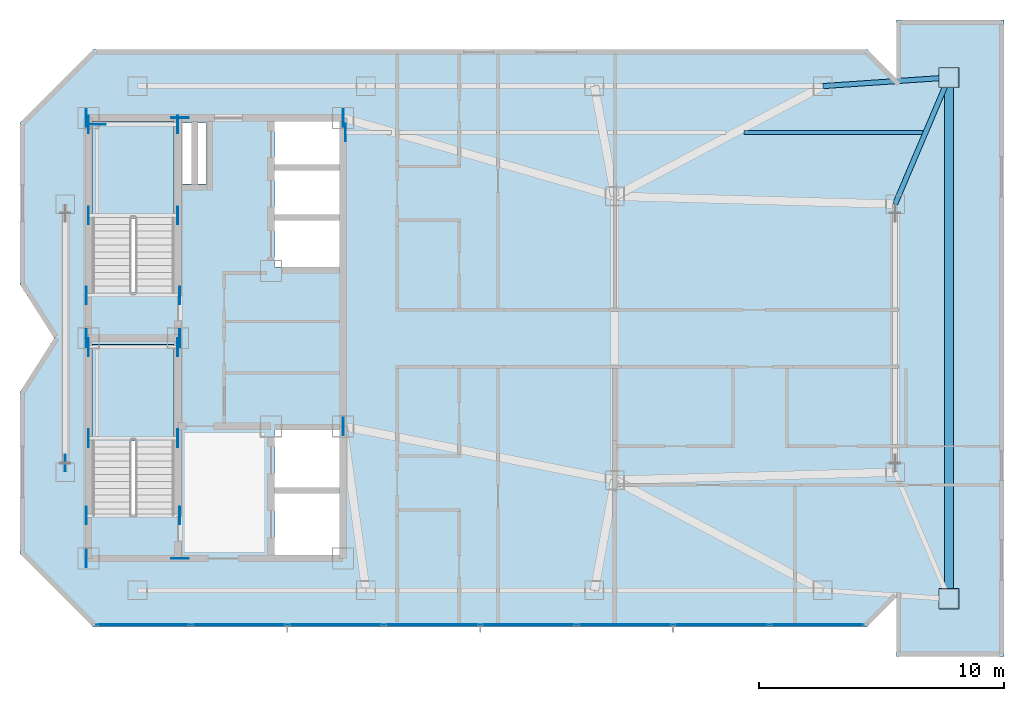
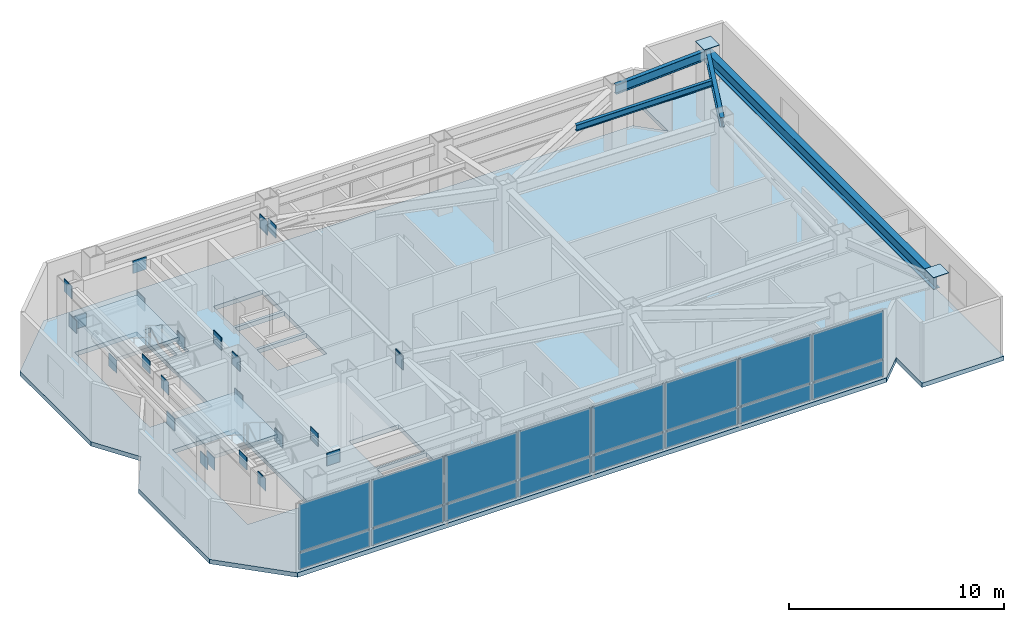
# One storey, part 7 of 12: 43 plates, 4 beams, 3 slabs, 3 elements without a shape of their own.
"""IFC4 building model written with IfcOpenShell, lengths in metres."""

from ifc_helpers import new_model, si_unit, direction, frame, origin, origin_2d, place, context, subcontext, project, spatial, polyline, rectangle, i_section, outline, extrude, material, layer, layer_set, material_profile, profile_set, type_object, element, aggregate, save


model = new_model("IFC4")

# Units and contexts
model_context = context("Model", 3, precision=1e-05, world=origin(), true_north=direction((0.0, 1.0)))
body_context = subcontext(model_context, "Body", "Model", "MODEL_VIEW")
ifc_project = project(units=[si_unit("LENGTHUNIT", "METRE"), si_unit("AREAUNIT", "SQUARE_METRE"), si_unit("VOLUMEUNIT", "CUBIC_METRE"), si_unit("PLANEANGLEUNIT", "RADIAN"), si_unit("MASSUNIT", "GRAM", prefix="KILO")], contexts=[model_context])

# Site, building, storey
site_placement = place(None, origin())
site = spatial("IfcSite", under=ifc_project, at=site_placement, CompositionType="ELEMENT")
building_placement = place(site_placement, origin())
building = spatial("IfcBuilding", under=site, at=building_placement, Name="Khamvora Tower", CompositionType="ELEMENT")
storey_placement = place(building_placement, frame((0.0, 0.0, 298.85009765625)))
storey = spatial("IfcBuildingStorey", under=building, at=storey_placement, Name="L76", CompositionType="ELEMENT", Elevation=298.85009765625)

# Beams
ifc_material_1 = material(Name="Steel S355", Category="steel")
ifc_material_profile_1 = material_profile(ifc_material_1, i_section(OverallWidth=0.1708984375, OverallDepth=0.35498046875, WebThickness=0.007080078125, FlangeThickness=0.011962890625, FilletRadius=0.010009765625, at=origin_2d()), Name="W360x51")
ifc_profile_set_1 = profile_set([ifc_material_profile_1], Name="Steel S355")
beam_type_1 = type_object("IfcBeamType", Name="BM-JS-W360x51", PredefinedType="JOIST", material=ifc_profile_set_1)
beam_1_placement = place(storey_placement, frame((55.784912109375, 36.39990234375, 3.702880859375), z_axis=(1.0, 0.0, 0.0), x_axis=(0.0, 1.0, 0.0)))
element("IfcBeam", 1, at=beam_1_placement, inside=storey, type_object=beam_type_1, Name="L76 secondary floor joist 07", PredefinedType="JOIST", context=body_context, shape_type="SweptSolid", body=[
    extrude(i_section(OverallWidth=0.1708984375, OverallDepth=0.35498046875, WebThickness=0.007080078125, FlangeThickness=0.011962890625, FilletRadius=0.010009765625, at=origin_2d()), origin(), (0.0, 0.0, 1.0), 7.300048828125),
])
ifc_material_profile_2 = material_profile(ifc_material_1, i_section(OverallWidth=0.35498046875, OverallDepth=0.695068359375, WebThickness=0.014892578125, FlangeThickness=0.02490234375, FilletRadius=0.01611328125, at=origin_2d()), Name="W690x217")
ifc_profile_set_2 = profile_set([ifc_material_profile_2], Name="Steel S355")
beam_type_2 = type_object("IfcBeamType", Name="BM-PG-W690x217", PredefinedType="BEAM", material=ifc_profile_set_2)
beam_2_placement = place(storey_placement, frame((64.14990234375, 17.35009765625, 3.531982421875), z_axis=(0.0, 1.0, 0.0), x_axis=(-1.0, 0.0, 0.0)))
element("IfcBeam", 2, at=beam_2_placement, inside=storey, type_object=beam_type_2, Name="L76 conservatory east edge tie girder", PredefinedType="BEAM", context=body_context, shape_type="SweptSolid", body=[
    extrude(i_section(OverallWidth=0.35498046875, OverallDepth=0.695068359375, WebThickness=0.014892578125, FlangeThickness=0.02490234375, FilletRadius=0.01611328125, at=origin_2d()), origin(), (0.0, 0.0, 1.0), 21.2998046875),
])
ifc_material_profile_3 = material_profile(ifc_material_1, i_section(OverallWidth=0.208984375, OverallDepth=0.532958984375, WebThickness=0.010009765625, FlangeThickness=0.01611328125, FilletRadius=0.013916015625, at=origin_2d()), Name="W530x92")
ifc_profile_set_3 = profile_set([ifc_material_profile_3], Name="Steel S355")
beam_type_3 = type_object("IfcBeamType", Name="BM-SP-W530x92", PredefinedType="SPANDREL", material=ifc_profile_set_3)
beam_3_placement = place(storey_placement, frame((61.949951171875, 33.47509765625, 3.614013671875), z_axis=(0.391239931832, 0.920288713252, 0.0), x_axis=(-0.920288713252, 0.391239931832, 0.0)))
element("IfcBeam", 3, at=beam_3_placement, inside=storey, type_object=beam_type_3, Name="L76 perimeter spandrel beam E2-EC2", PredefinedType="SPANDREL", context=body_context, shape_type="SweptSolid", body=[
    extrude(i_section(OverallWidth=0.208984375, OverallDepth=0.532958984375, WebThickness=0.010009765625, FlangeThickness=0.01611328125, FilletRadius=0.013916015625, at=origin_2d()), origin(), (0.0, 0.0, 1.0), 5.623046875),
])
beam_4_placement = place(storey_placement, frame((64.14990234375, 38.64990234375, 3.614013671875), z_axis=(-0.997700441509, -0.067777791442, 0.0), x_axis=(0.067777791442, -0.997700441509, 0.0)))
element("IfcBeam", 4, at=beam_4_placement, inside=storey, type_object=beam_type_3, Name="L76 perimeter spandrel beam EC2-N4", PredefinedType="SPANDREL", context=body_context, shape_type="SweptSolid", body=[
    extrude(i_section(OverallWidth=0.208984375, OverallDepth=0.532958984375, WebThickness=0.010009765625, FlangeThickness=0.01611328125, FilletRadius=0.013916015625, at=origin_2d()), origin(), (0.0, 0.0, 1.0), 5.161865234375),
])

# Curtain wall, plates
ifc_material_2 = material(Name="Anodised Aluminium 6063-T6", Category="aluminium")
curtain_wall_type = type_object("IfcCurtainWallType", Name="CW-SYS-06", PredefinedType="NOTDEFINED", material=ifc_material_2)
curtain_wall_placement = place(storey_placement, origin())
curtain_wall = element("IfcCurtainWall", 5, at=curtain_wall_placement, inside=storey, type_object=curtain_wall_type, Name="L76 stick curtain wall 01.1", PredefinedType="NOTDEFINED")
ifc_material_3 = material(Name="Low-E Laminated Double Glazing", Category="glass")
ifc_layer_1 = layer(ifc_material_3, 0.0380859375)
ifc_layer_set_1 = layer_set([ifc_layer_1], Name="Low-E Laminated Double Glazing")
plate_type_1 = type_object("IfcPlateType", Name="CW-SYS-06-PNL", PredefinedType="CURTAIN_PANEL", material=ifc_layer_set_1)
plate_1_placement = place(storey_placement, frame((58.76904296875, 16.300048828125, 0.080078125), z_axis=(0.0, 0.0, 1.0), x_axis=(-1.0, 0.0, 0.0)))
plate_1 = element("IfcPlate", 6, at=plate_1_placement, type_object=plate_type_1, Name="CW-06 panel 1.1", PredefinedType="CURTAIN_PANEL", context=body_context, shape_type="SweptSolid", body=[
    extrude(rectangle(XDim=3.81982421875, YDim=0.0380859375, at=origin_2d()), origin(), (0.0, 0.0, 1.0), 0.929931640625),
])
plate_2_placement = place(storey_placement, frame((58.76904296875, 16.300048828125, 1.08984375), z_axis=(0.0, 0.0, 1.0), x_axis=(-1.0, 0.0, 0.0)))
plate_2 = element("IfcPlate", 7, at=plate_2_placement, type_object=plate_type_1, Name="CW-06 panel 1.2", PredefinedType="CURTAIN_PANEL", context=body_context, shape_type="SweptSolid", body=[
    extrude(rectangle(XDim=3.81982421875, YDim=0.0380859375, at=origin_2d()), origin(), (0.0, 0.0, 1.0), 2.7099609375),
])
plate_3_placement = place(storey_placement, frame((54.849365234375, 16.300048828125, 0.080078125), z_axis=(0.0, 0.0, 1.0), x_axis=(-1.0, 0.0, 0.0)))
plate_3 = element("IfcPlate", 8, at=plate_3_placement, type_object=plate_type_1, Name="CW-06 panel 2.1", PredefinedType="CURTAIN_PANEL", context=body_context, shape_type="SweptSolid", body=[
    extrude(rectangle(XDim=3.85986328125, YDim=0.0380859375, at=origin_2d()), origin(), (0.0, 0.0, 1.0), 0.929931640625),
])
plate_4_placement = place(storey_placement, frame((54.849365234375, 16.300048828125, 1.08984375), z_axis=(0.0, 0.0, 1.0), x_axis=(-1.0, 0.0, 0.0)))
plate_4 = element("IfcPlate", 9, at=plate_4_placement, type_object=plate_type_1, Name="CW-06 panel 2.2", PredefinedType="CURTAIN_PANEL", context=body_context, shape_type="SweptSolid", body=[
    extrude(rectangle(XDim=3.85986328125, YDim=0.0380859375, at=origin_2d()), origin(), (0.0, 0.0, 1.0), 2.7099609375),
])
plate_5_placement = place(storey_placement, frame((50.90966796875, 16.300048828125, 0.080078125), z_axis=(0.0, 0.0, 1.0), x_axis=(-1.0, 0.0, 0.0)))
plate_5 = element("IfcPlate", 10, at=plate_5_placement, type_object=plate_type_1, Name="CW-06 panel 3.1", PredefinedType="CURTAIN_PANEL", context=body_context, shape_type="SweptSolid", body=[
    extrude(rectangle(XDim=3.85986328125, YDim=0.0380859375, at=origin_2d()), origin(), (0.0, 0.0, 1.0), 0.929931640625),
])
plate_6_placement = place(storey_placement, frame((50.90966796875, 16.300048828125, 1.08984375), z_axis=(0.0, 0.0, 1.0), x_axis=(-1.0, 0.0, 0.0)))
plate_6 = element("IfcPlate", 11, at=plate_6_placement, type_object=plate_type_1, Name="CW-06 panel 3.2", PredefinedType="CURTAIN_PANEL", context=body_context, shape_type="SweptSolid", body=[
    extrude(rectangle(XDim=3.85986328125, YDim=0.0380859375, at=origin_2d()), origin(), (0.0, 0.0, 1.0), 2.7099609375),
])
plate_7_placement = place(storey_placement, frame((46.969970703125, 16.300048828125, 0.080078125), z_axis=(0.0, 0.0, 1.0), x_axis=(-1.0, 0.0, 0.0)))
plate_7 = element("IfcPlate", 12, at=plate_7_placement, type_object=plate_type_1, Name="CW-06 panel 4.1", PredefinedType="CURTAIN_PANEL", context=body_context, shape_type="SweptSolid", body=[
    extrude(rectangle(XDim=3.85986328125, YDim=0.0380859375, at=origin_2d()), origin(), (0.0, 0.0, 1.0), 0.929931640625),
])
plate_8_placement = place(storey_placement, frame((46.969970703125, 16.300048828125, 1.08984375), z_axis=(0.0, 0.0, 1.0), x_axis=(-1.0, 0.0, 0.0)))
plate_8 = element("IfcPlate", 13, at=plate_8_placement, type_object=plate_type_1, Name="CW-06 panel 4.2", PredefinedType="CURTAIN_PANEL", context=body_context, shape_type="SweptSolid", body=[
    extrude(rectangle(XDim=3.85986328125, YDim=0.0380859375, at=origin_2d()), origin(), (0.0, 0.0, 1.0), 2.7099609375),
])
plate_9_placement = place(storey_placement, frame((43.030029296875, 16.300048828125, 0.080078125), z_axis=(0.0, 0.0, 1.0), x_axis=(-1.0, 0.0, 0.0)))
plate_9 = element("IfcPlate", 14, at=plate_9_placement, type_object=plate_type_1, Name="CW-06 panel 5.1", PredefinedType="CURTAIN_PANEL", context=body_context, shape_type="SweptSolid", body=[
    extrude(rectangle(XDim=3.85986328125, YDim=0.0380859375, at=origin_2d()), origin(), (0.0, 0.0, 1.0), 0.929931640625),
])
plate_10_placement = place(storey_placement, frame((43.030029296875, 16.300048828125, 1.08984375), z_axis=(0.0, 0.0, 1.0), x_axis=(-1.0, 0.0, 0.0)))
plate_10 = element("IfcPlate", 15, at=plate_10_placement, type_object=plate_type_1, Name="CW-06 panel 5.2", PredefinedType="CURTAIN_PANEL", context=body_context, shape_type="SweptSolid", body=[
    extrude(rectangle(XDim=3.85986328125, YDim=0.0380859375, at=origin_2d()), origin(), (0.0, 0.0, 1.0), 2.7099609375),
])
plate_11_placement = place(storey_placement, frame((39.09033203125, 16.300048828125, 0.080078125), z_axis=(0.0, 0.0, 1.0), x_axis=(-1.0, 0.0, 0.0)))
plate_11 = element("IfcPlate", 16, at=plate_11_placement, type_object=plate_type_1, Name="CW-06 panel 6.1", PredefinedType="CURTAIN_PANEL", context=body_context, shape_type="SweptSolid", body=[
    extrude(rectangle(XDim=3.85986328125, YDim=0.0380859375, at=origin_2d()), origin(), (0.0, 0.0, 1.0), 0.929931640625),
])
plate_12_placement = place(storey_placement, frame((39.09033203125, 16.300048828125, 1.08984375), z_axis=(0.0, 0.0, 1.0), x_axis=(-1.0, 0.0, 0.0)))
plate_12 = element("IfcPlate", 17, at=plate_12_placement, type_object=plate_type_1, Name="CW-06 panel 6.2", PredefinedType="CURTAIN_PANEL", context=body_context, shape_type="SweptSolid", body=[
    extrude(rectangle(XDim=3.85986328125, YDim=0.0380859375, at=origin_2d()), origin(), (0.0, 0.0, 1.0), 2.7099609375),
])
plate_13_placement = place(storey_placement, frame((35.150634765625, 16.300048828125, 0.080078125), z_axis=(0.0, 0.0, 1.0), x_axis=(-1.0, 0.0, 0.0)))
plate_13 = element("IfcPlate", 18, at=plate_13_placement, type_object=plate_type_1, Name="CW-06 panel 7.1", PredefinedType="CURTAIN_PANEL", context=body_context, shape_type="SweptSolid", body=[
    extrude(rectangle(XDim=3.85986328125, YDim=0.0380859375, at=origin_2d()), origin(), (0.0, 0.0, 1.0), 0.929931640625),
])
plate_14_placement = place(storey_placement, frame((35.150634765625, 16.300048828125, 1.08984375), z_axis=(0.0, 0.0, 1.0), x_axis=(-1.0, 0.0, 0.0)))
plate_14 = element("IfcPlate", 19, at=plate_14_placement, type_object=plate_type_1, Name="CW-06 panel 7.2", PredefinedType="CURTAIN_PANEL", context=body_context, shape_type="SweptSolid", body=[
    extrude(rectangle(XDim=3.85986328125, YDim=0.0380859375, at=origin_2d()), origin(), (0.0, 0.0, 1.0), 2.7099609375),
])
plate_15_placement = place(storey_placement, frame((31.23095703125, 16.300048828125, 0.080078125), z_axis=(0.0, 0.0, 1.0), x_axis=(-1.0, 0.0, 0.0)))
plate_15 = element("IfcPlate", 20, at=plate_15_placement, type_object=plate_type_1, Name="CW-06 panel 8.1", PredefinedType="CURTAIN_PANEL", context=body_context, shape_type="SweptSolid", body=[
    extrude(rectangle(XDim=3.81982421875, YDim=0.0380859375, at=origin_2d()), origin(), (0.0, 0.0, 1.0), 0.929931640625),
])
plate_16_placement = place(storey_placement, frame((31.23095703125, 16.300048828125, 1.08984375), z_axis=(0.0, 0.0, 1.0), x_axis=(-1.0, 0.0, 0.0)))
plate_16 = element("IfcPlate", 21, at=plate_16_placement, type_object=plate_type_1, Name="CW-06 panel 8.2", PredefinedType="CURTAIN_PANEL", context=body_context, shape_type="SweptSolid", body=[
    extrude(rectangle(XDim=3.81982421875, YDim=0.0380859375, at=origin_2d()), origin(), (0.0, 0.0, 1.0), 2.7099609375),
])
aggregate(curtain_wall, [plate_1, plate_2, plate_3, plate_4, plate_5, plate_6, plate_7, plate_8, plate_9, plate_10, plate_11, plate_12, plate_13, plate_14, plate_15, plate_16])

# Plates
ifc_layer_2 = layer(ifc_material_1, 0.02490234375)
ifc_layer_set_2 = layer_set([ifc_layer_2], Name="Steel S355")
plate_type_2 = type_object("IfcPlateType", Name="PL-CAP-25", PredefinedType="SHEET", material=ifc_layer_set_2)
for number, where, z_axis, x_axis, name in (
    (22, (64.14990234375, 17.35009765625, 4.175537109375), (0.0, 0.0, 1.0), (1.0, 0.0, 0.0), "L76 hollow section steel end cap plate 0359"),
    (23, (64.14990234375, 38.64990234375, 4.175537109375), (0.0, 0.0, 1.0), (1.0, 0.0, 0.0), "L76 hollow section steel end cap plate 0361"),
):
    element("IfcPlate", number, at=place(storey_placement, frame(where, z_axis=z_axis, x_axis=x_axis)), inside=storey, type_object=plate_type_2, Name=name, PredefinedType="SHEET", context=body_context, shape_type="SweptSolid", body=[
        extrude(rectangle(XDim=0.830078125, YDim=0.830078125, at=origin_2d()), origin(), (0.0, 0.0, 1.0), 0.02490234375),
    ])
ifc_material_4 = material(Name="Steel S460", Category="steel")
ifc_layer_3 = layer(ifc_material_4, 0.034912109375)
ifc_layer_set_3 = layer_set([ifc_layer_3], Name="Steel S460")
plate_type_3 = type_object("IfcPlateType", Name="PL-EMB-35", PredefinedType="SHEET", material=ifc_layer_set_3)
for number, where, z_axis, x_axis, name in (
    (24, (29.0, 23.9150390625, 1.40869140625), (0.0, 0.0, 1.0), (1.0, 0.0, 0.0), "L76 core shear wall cast-in embed plate 2220"),
    (25, (32.64990234375, 23.9150390625, 1.40869140625), (0.0, 0.0, 1.0), (1.0, 0.0, 0.0), "L76 core shear wall cast-in embed plate 2221"),
    (26, (29.0, 27.6298828125, 1.40869140625), (0.0, 0.0, 1.0), (1.0, 0.0, 0.0), "L76 core shear wall cast-in embed plate 2222"),
    (27, (32.64990234375, 27.6298828125, 1.40869140625), (0.0, 0.0, 1.0), (1.0, 0.0, 0.0), "L76 core shear wall cast-in embed plate 2223"),
    (28, (29.0, 33.014892578125, 1.40869140625), (0.0, 0.0, 1.0), (1.0, 0.0, 0.0), "L76 core shear wall cast-in embed plate 2224"),
    (29, (32.64990234375, 33.014892578125, 1.40869140625), (0.0, 0.0, 1.0), (1.0, 0.0, 0.0), "L76 core shear wall cast-in embed plate 2225"),
    (30, (29.0, 36.72998046875, 1.40869140625), (0.0, 0.0, 1.0), (1.0, 0.0, 0.0), "L76 core shear wall cast-in embed plate 2226"),
    (31, (32.64990234375, 36.72998046875, 1.40869140625), (0.0, 0.0, 1.0), (1.0, 0.0, 0.0), "L76 core shear wall cast-in embed plate 2227"),
):
    element("IfcPlate", number, at=place(storey_placement, frame(where, z_axis=z_axis, x_axis=x_axis)), inside=storey, type_object=plate_type_3, Name=name, PredefinedType="SHEET", context=body_context, shape_type="SweptSolid", body=[
        extrude(rectangle(XDim=0.034912109375, YDim=0.719970703125, at=origin_2d()), origin(), (0.0, 0.0, 1.0), 0.719970703125),
    ])
plate_17_placement = place(storey_placement, frame((29.35009765625, 36.72998046875, 1.40869140625), z_axis=(0.0, 0.0, 1.0), x_axis=(1.0, 0.0, 0.0)))
element("IfcPlate", 32, at=plate_17_placement, inside=storey, type_object=plate_type_3, Name="L76 core shear wall cast-in embed plate 2228", PredefinedType="SHEET", context=body_context, shape_type="SweptSolid", body=[
    extrude(rectangle(XDim=0.719970703125, YDim=0.034912109375, at=origin_2d()), origin(), (0.0, 0.0, 1.0), 0.719970703125),
])
for number, where, z_axis, x_axis, name in (
    (33, (39.39990234375, 24.39990234375, 3.171875), (0.0, 0.0, 1.0), (1.0, 0.0, 0.0), "L76 core shear wall cast-in embed plate 2229"),
    (34, (39.39990234375, 37.0, 3.171875), (0.0, 0.0, 1.0), (1.0, 0.0, 0.0), "L76 core shear wall cast-in embed plate 2230"),
    (35, (28.89990234375, 19.0, 3.25390625), (0.0, 0.0, 1.0), (1.0, 0.0, 0.0), "L76 core shear wall cast-in embed plate 2231"),
    (36, (28.89990234375, 28.0, 3.25390625), (0.0, 0.0, 1.0), (1.0, 0.0, 0.0), "L76 core shear wall cast-in embed plate 2232"),
    (37, (28.89990234375, 37.0, 3.25390625), (0.0, 0.0, 1.0), (1.0, 0.0, 0.0), "L76 core shear wall cast-in embed plate 2233"),
):
    element("IfcPlate", number, at=place(storey_placement, frame(where, z_axis=z_axis, x_axis=x_axis)), inside=storey, type_object=plate_type_3, Name=name, PredefinedType="SHEET", context=body_context, shape_type="SweptSolid", body=[
        extrude(rectangle(XDim=0.034912109375, YDim=0.719970703125, at=origin_2d()), origin(), (0.0, 0.0, 1.0), 0.719970703125),
    ])
plate_18_placement = place(storey_placement, frame((32.72998046875, 19.0, 3.25390625), z_axis=(0.0, 0.0, 1.0), x_axis=(1.0, 0.0, 0.0)))
element("IfcPlate", 38, at=plate_18_placement, inside=storey, type_object=plate_type_3, Name="L76 core shear wall cast-in embed plate 2234", PredefinedType="SHEET", context=body_context, shape_type="SweptSolid", body=[
    extrude(rectangle(XDim=0.719970703125, YDim=0.034912109375, at=origin_2d()), origin(), (0.0, 0.0, 1.0), 0.719970703125),
])
plate_19_placement = place(storey_placement, frame((32.72998046875, 28.0, 3.25390625), z_axis=(0.0, 0.0, 1.0), x_axis=(1.0, 0.0, 0.0)))
element("IfcPlate", 39, at=plate_19_placement, inside=storey, type_object=plate_type_3, Name="L76 core shear wall cast-in embed plate 2235", PredefinedType="SHEET", context=body_context, shape_type="SweptSolid", body=[
    extrude(rectangle(XDim=0.034912109375, YDim=0.719970703125, at=origin_2d()), origin(), (0.0, 0.0, 1.0), 0.719970703125),
])
plate_20_placement = place(storey_placement, frame((32.72998046875, 37.0, 3.25390625), z_axis=(0.0, 0.0, 1.0), x_axis=(1.0, 0.0, 0.0)))
element("IfcPlate", 40, at=plate_20_placement, inside=storey, type_object=plate_type_3, Name="L76 core shear wall cast-in embed plate 2236", PredefinedType="SHEET", context=body_context, shape_type="SweptSolid", body=[
    extrude(rectangle(XDim=0.719970703125, YDim=0.034912109375, at=origin_2d()), origin(), (0.0, 0.0, 1.0), 0.719970703125),
])
for number, where, z_axis, x_axis, name in (
    (41, (39.39990234375, 24.39990234375, 3.25390625), (0.0, 0.0, 1.0), (1.0, 0.0, 0.0), "L76 core shear wall cast-in embed plate 2237"),
    (42, (39.39990234375, 37.0, 3.25390625), (0.0, 0.0, 1.0), (1.0, 0.0, 0.0), "L76 core shear wall cast-in embed plate 2238"),
    (43, (28.89990234375, 20.75, 3.39404296875), (0.0, 0.0, 1.0), (1.0, 0.0, 0.0), "L76 core shear wall cast-in embed plate 2239"),
    (44, (32.72998046875, 20.75, 3.39404296875), (0.0, 0.0, 1.0), (1.0, 0.0, 0.0), "L76 core shear wall cast-in embed plate 2240"),
    (45, (28.89990234375, 29.75, 3.39404296875), (0.0, 0.0, 1.0), (1.0, 0.0, 0.0), "L76 core shear wall cast-in embed plate 2241"),
    (46, (32.72998046875, 29.75, 3.39404296875), (0.0, 0.0, 1.0), (1.0, 0.0, 0.0), "L76 core shear wall cast-in embed plate 2242"),
    (47, (39.4990234375, 36.39990234375, 3.3427734375), (0.0, 0.0, 1.0), (1.0, 0.0, 0.0), "L76 core shear wall cast-in embed plate 2243"),
):
    element("IfcPlate", number, at=place(storey_placement, frame(where, z_axis=z_axis, x_axis=x_axis)), inside=storey, type_object=plate_type_3, Name=name, PredefinedType="SHEET", context=body_context, shape_type="SweptSolid", body=[
        extrude(rectangle(XDim=0.034912109375, YDim=0.719970703125, at=origin_2d()), origin(), (0.0, 0.0, 1.0), 0.719970703125),
    ])
ifc_layer_4 = layer(ifc_material_4, 0.0400390625)
ifc_layer_set_4 = layer_set([ifc_layer_4], Name="Steel S460")
plate_type_4 = type_object("IfcPlateType", Name="PLT-GUS-40", PredefinedType="SHEET", material=ifc_layer_set_4)
plate_21_placement = place(storey_placement, frame((28.050048828125, 22.904052734375, 2.3720703125), z_axis=(0.0, 0.0, 1.0), x_axis=(0.0, 1.0, 0.0)))
element("IfcPlate", 48, at=plate_21_placement, inside=storey, type_object=plate_type_4, Name="L76 brace connection node gusset plate 0461", PredefinedType="SHEET", context=body_context, shape_type="SweptSolid", body=[
    extrude(rectangle(XDim=0.679931640625, YDim=0.0400390625, at=origin_2d()), origin(), (0.0, 0.0, 1.0), 0.679931640625),
])

# Slab
ifc_material_5 = material(Name="Concrete C35/45", Category="concrete")
ifc_layer_5 = layer(ifc_material_5, 0.25)
ifc_layer_set_5 = layer_set([ifc_layer_5], Name="Concrete C35/45")
slab_type_1 = type_object("IfcSlabType", Name="SLB-CRN-250", PredefinedType="FLOOR", material=ifc_layer_set_5)
slab_1_placement = place(storey_placement, frame((0.0, 0.0, -0.25)))
element("IfcSlab", 49, at=slab_1_placement, inside=storey, type_object=slab_type_1, Name="L76 structural floor slab", PredefinedType="FLOOR", context=body_context, shape_type="SweptSolid", body=[
    extrude(outline(polyline([(60.800048828125, 16.199951171875), (29.199951171875, 16.199951171875), (26.199951171875, 19.199951171875), (26.199951171875, 25.800048828125), (27.60009765625, 28.0), (26.199951171875, 30.199951171875), (26.199951171875, 36.800048828125), (29.199951171875, 39.800048828125), (60.800048828125, 39.800048828125), (62.0, 38.60009765625), (62.0, 41.0), (66.39990234375, 41.0), (66.39990234375, 15.0), (62.0, 15.0), (62.0, 17.39990234375), (60.800048828125, 16.199951171875)]), holes=[polyline([(32.5, 20.760009765625), (32.5, 27.75), (29.14990234375, 27.75), (29.14990234375, 20.760009765625), (32.5, 20.760009765625)]), polyline([(32.5, 29.860107421875), (32.5, 36.85009765625), (29.14990234375, 36.85009765625), (29.14990234375, 29.860107421875), (32.5, 29.860107421875)]), polyline([(36.60009765625, 19.14990234375), (39.25, 19.14990234375), (39.25, 21.64990234375), (36.60009765625, 21.64990234375), (36.60009765625, 19.14990234375)]), polyline([(36.60009765625, 21.800048828125), (39.25, 21.800048828125), (39.25, 24.25), (36.60009765625, 24.25), (36.60009765625, 21.800048828125)]), polyline([(36.60009765625, 30.89990234375), (39.25, 30.89990234375), (39.25, 32.800048828125), (36.60009765625, 32.800048828125), (36.60009765625, 30.89990234375)]), polyline([(36.60009765625, 32.949951171875), (39.25, 32.949951171875), (39.25, 34.85009765625), (36.60009765625, 34.85009765625), (36.60009765625, 32.949951171875)]), polyline([(36.60009765625, 35.0), (39.25, 35.0), (39.25, 36.85009765625), (36.60009765625, 36.85009765625), (36.60009765625, 35.0)]), polyline([(32.800048828125, 34.300048828125), (33.199951171875, 34.300048828125), (33.199951171875, 36.800048828125), (32.800048828125, 36.800048828125), (32.800048828125, 34.300048828125)]), polyline([(33.47998046875, 34.300048828125), (33.820068359375, 34.300048828125), (33.820068359375, 36.800048828125), (33.47998046875, 36.800048828125), (33.47998046875, 34.300048828125)])]), origin(), (0.0, 0.0, 1.0), 0.25),
])

# Stair, slab
ifc_material_6 = material(Name="Concrete C40/50", Category="concrete")
stair_type_1 = type_object("IfcStairType", Name="STR-ST-01", PredefinedType="HALF_TURN_STAIR", material=ifc_material_6)
stair_1_placement = place(storey_placement, origin())
stair_1 = element("IfcStair", 50, at=stair_1_placement, inside=storey, type_object=stair_type_1, Name="L76 South Tower Exit Stair ST-01", PredefinedType="HALF_TURN_STAIR")
ifc_layer_6 = layer(ifc_material_6, 0.199951171875)
ifc_layer_set_6 = layer_set([ifc_layer_6], Name="Concrete C40/50")
slab_type_2 = type_object("IfcSlabType", Name="SLB-LND-200", PredefinedType="LANDING", material=ifc_layer_set_6)
slab_2_placement = place(storey_placement, frame((0.0, 0.0, 1.89990234375)))
slab_2 = element("IfcSlab", 51, at=slab_2_placement, type_object=slab_type_2, Name="ST-01 landing 1", PredefinedType="LANDING", context=body_context, shape_type="SweptSolid", body=[
    extrude(outline(polyline([(32.5, 23.794921875), (32.5, 27.75), (29.14990234375, 27.75), (29.14990234375, 23.794921875), (32.5, 23.794921875)])), origin(), (0.0, 0.0, 1.0), 0.199951171875),
])
aggregate(stair_1, [slab_2])

stair_type_2 = type_object("IfcStairType", Name="STR-ST-02", PredefinedType="HALF_TURN_STAIR", material=ifc_material_6)
stair_2_placement = place(storey_placement, origin())
stair_2 = element("IfcStair", 52, at=stair_2_placement, inside=storey, type_object=stair_type_2, Name="L76 North Tower Exit Stair ST-02", PredefinedType="HALF_TURN_STAIR")
slab_3_placement = place(storey_placement, frame((0.0, 0.0, 1.89990234375)))
slab_3 = element("IfcSlab", 53, at=slab_3_placement, type_object=slab_type_2, Name="ST-02 landing 1", PredefinedType="LANDING", context=body_context, shape_type="SweptSolid", body=[
    extrude(outline(polyline([(32.5, 32.89501953125), (32.5, 36.85009765625), (29.14990234375, 36.85009765625), (29.14990234375, 32.89501953125), (32.5, 32.89501953125)])), origin(), (0.0, 0.0, 1.0), 0.199951171875),
])
aggregate(stair_2, [slab_3])

save(model, "model.ifc")
